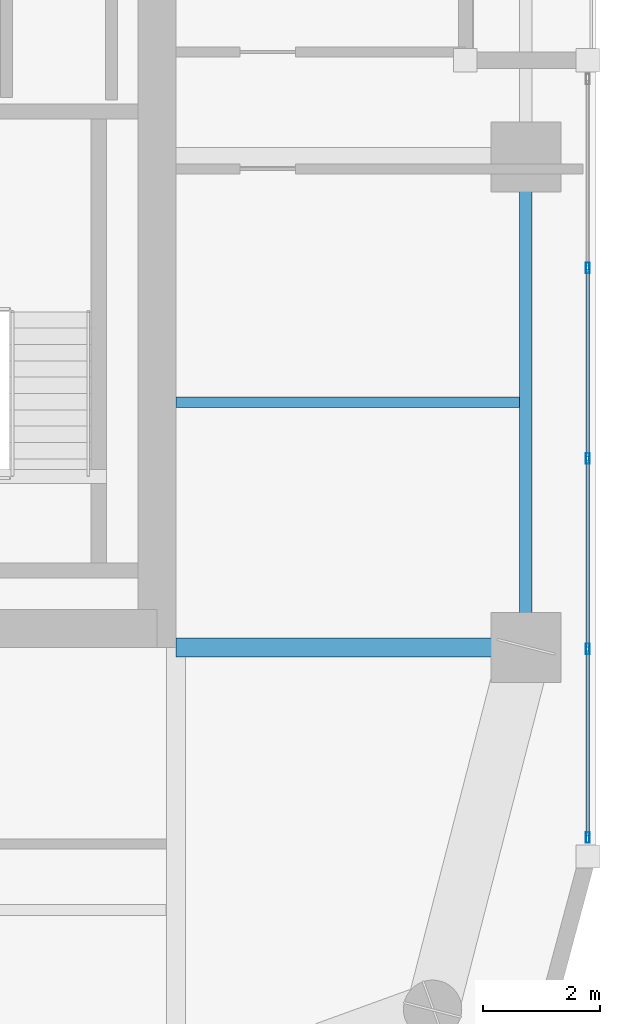
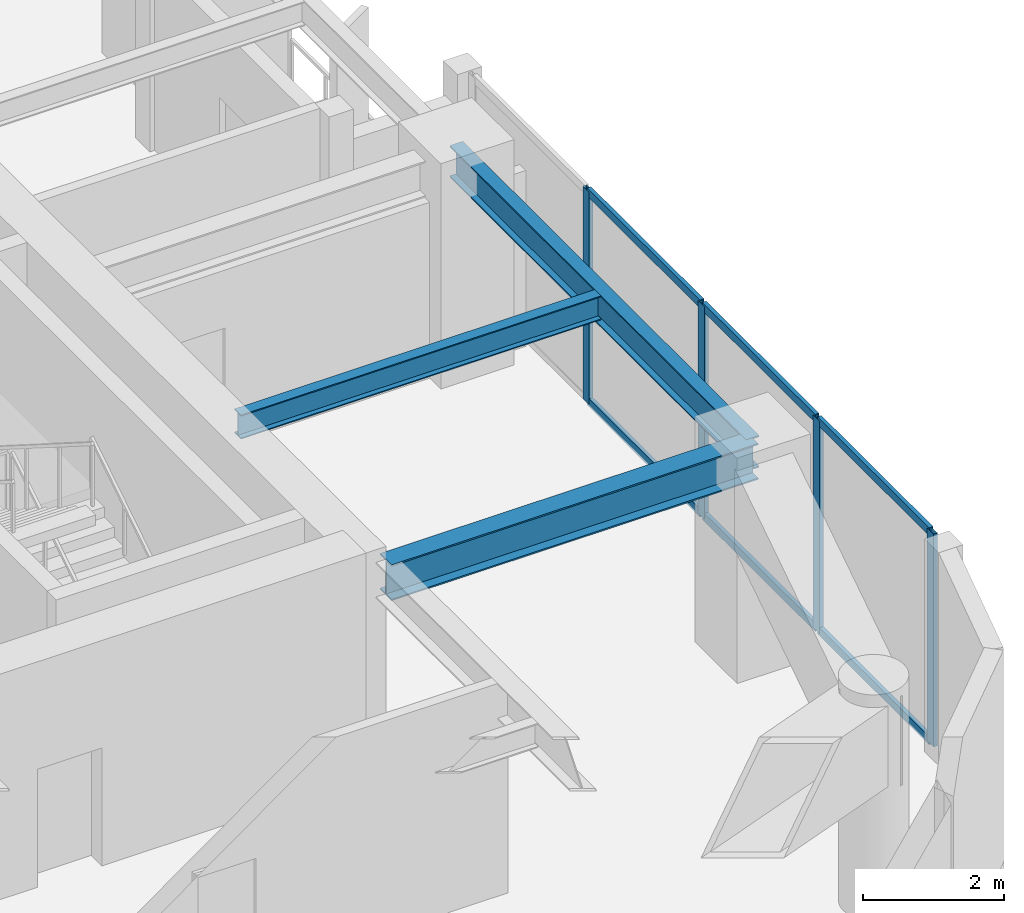
# One storey, part 9 of 30: 10 members, 3 beams, 1 element without a shape of its own.
"""IFC4 building model written with IfcOpenShell, lengths in metres."""

from ifc_helpers import new_model, si_unit, direction, frame, origin, origin_2d, place, context, subcontext, project, spatial, hollow_rectangle, i_section, extrude, material, layer, layer_set, material_profile, profile_set, type_object, element, aggregate, save


model = new_model("IFC4")

# Units and contexts
model_context = context("Model", 3, precision=1e-05, world=origin(), true_north=direction((0.0, 1.0)))
body_context = subcontext(model_context, "Body", "Model", "MODEL_VIEW")
ifc_project = project(units=[si_unit("LENGTHUNIT", "METRE"), si_unit("AREAUNIT", "SQUARE_METRE"), si_unit("VOLUMEUNIT", "CUBIC_METRE"), si_unit("PLANEANGLEUNIT", "RADIAN"), si_unit("MASSUNIT", "GRAM", prefix="KILO")], contexts=[model_context])

# Site, building, storey
site_placement = place(None, origin())
site = spatial("IfcSite", under=ifc_project, at=site_placement, CompositionType="ELEMENT")
building_placement = place(site_placement, origin())
building = spatial("IfcBuilding", under=site, at=building_placement, Name="Kiyonajd Concourse Tower", CompositionType="ELEMENT")
storey_placement = place(building_placement, frame((0.0, 0.0, 194.10009765625)))
storey = spatial("IfcBuildingStorey", under=building, at=storey_placement, Name="L49", CompositionType="ELEMENT", Elevation=194.10009765625)

# Beams
ifc_material_1 = material(Name="Steel ASTM A992 Grade 50", Category="steel")
ifc_material_profile_1 = material_profile(ifc_material_1, i_section(OverallWidth=0.180908203125, OverallDepth=0.4169921875, WebThickness=0.010986328125, FlangeThickness=0.018310546875, at=origin_2d()), Name="W410X85")
ifc_profile_set_1 = profile_set([ifc_material_profile_1], Name="Steel ASTM A992 Grade 50")
beam_type_1 = type_object("IfcBeamType", Name="BM-JST-410", PredefinedType="JOIST", material=ifc_profile_set_1)
beam_1_placement = place(storey_placement, frame((63.60009765625, 31.800048828125, 3.471435546875), z_axis=(1.0, 0.0, 0.0), x_axis=(0.0, 1.0, 0.0)))
element("IfcBeam", 1, at=beam_1_placement, inside=storey, type_object=beam_type_1, Name="L49 East Secondary Floor Joist", PredefinedType="JOIST", context=body_context, shape_type="SweptSolid", body=[
    extrude(i_section(OverallWidth=0.180908203125, OverallDepth=0.4169921875, WebThickness=0.010986328125, FlangeThickness=0.018310546875, at=origin_2d()), origin(), (0.0, 0.0, 1.0), 5.892822265625),
])
ifc_material_profile_2 = material_profile(ifc_material_1, i_section(OverallWidth=0.214111328125, OverallDepth=0.549072265625, WebThickness=0.0146484375, FlangeThickness=0.023681640625, at=origin_2d()), Name="W530X138")
ifc_profile_set_2 = profile_set([ifc_material_profile_2], Name="Steel ASTM A992 Grade 50")
beam_type_2 = type_object("IfcBeamType", Name="BM-SPAN-530A", PredefinedType="SPANDREL", material=ifc_profile_set_2)
beam_2_placement = place(storey_placement, frame((69.60009765625, 27.60009765625, 3.405517578125), z_axis=(0.0, 1.0, 0.0), x_axis=(-1.0, 0.0, 0.0)))
element("IfcBeam", 2, at=beam_2_placement, inside=storey, type_object=beam_type_2, Name="L49 Perimeter Bundled Tube Spandrel", PredefinedType="SPANDREL", context=body_context, shape_type="SweptSolid", body=[
    extrude(i_section(OverallWidth=0.214111328125, OverallDepth=0.549072265625, WebThickness=0.0146484375, FlangeThickness=0.023681640625, at=origin_2d()), origin(), (0.0, 0.0, 1.0), 8.39990234375),
])
ifc_material_profile_3 = material_profile(ifc_material_1, i_section(OverallWidth=0.326904296875, OverallDepth=0.6220703125, WebThickness=0.015380859375, FlangeThickness=0.0244140625, at=origin_2d()), Name="W610X195")
ifc_profile_set_3 = profile_set([ifc_material_profile_3], Name="Steel ASTM A992 Grade 50")
beam_type_3 = type_object("IfcBeamType", Name="BM-TWR-610A", PredefinedType="BEAM", material=ifc_profile_set_3)
beam_3_placement = place(storey_placement, frame((63.60009765625, 27.60009765625, 3.368896484375), z_axis=(1.0, 0.0, 0.0), x_axis=(0.0, 1.0, 0.0)))
element("IfcBeam", 3, at=beam_3_placement, inside=storey, type_object=beam_type_3, Name="L49 East Lease Girder", PredefinedType="BEAM", context=body_context, shape_type="SweptSolid", body=[
    extrude(i_section(OverallWidth=0.326904296875, OverallDepth=0.6220703125, WebThickness=0.015380859375, FlangeThickness=0.0244140625, at=origin_2d()), origin(), (0.0, 0.0, 1.0), 6.0),
])

# Curtain wall, members
ifc_material_2 = material(Name="Thermally Broken Anodised Aluminium", Category="aluminium")
ifc_layer = layer(ifc_material_2, 0.179931640625)
ifc_layer_set = layer_set([ifc_layer], Name="Thermally Broken Anodised Aluminium")
curtain_wall_type = type_object("IfcCurtainWallType", Name="CW-SYS-03", PredefinedType="NOTDEFINED", material=ifc_layer_set)
curtain_wall_placement = place(storey_placement, origin())
curtain_wall = element("IfcCurtainWall", 4, at=curtain_wall_placement, inside=storey, type_object=curtain_wall_type, Name="L49 Unitised Curtain Wall CW3", PredefinedType="NOTDEFINED")
ifc_material_profile_4 = material_profile(ifc_material_2, hollow_rectangle(XDim=0.06494140625, YDim=0.179931640625, WallThickness=0.00390625, at=origin_2d()), Name="MULL-65x180")
ifc_profile_set_4 = profile_set([ifc_material_profile_4], Name="Thermally Broken Anodised Aluminium")
member_type_1 = type_object("IfcMemberType", Name="MB-CW-MULL1", PredefinedType="MULLION", material=ifc_profile_set_4)
member_1_placement = place(storey_placement, frame((70.659912109375, 34.1044921875, 0.0), z_axis=(0.0, 0.0, 1.0), x_axis=(1.0, 0.0, 0.0)))
member_1 = element("IfcMember", 5, at=member_1_placement, type_object=member_type_1, Name="CW3 mullion 2", PredefinedType="MULLION", context=body_context, shape_type="SweptSolid", body=[
    extrude(hollow_rectangle(XDim=0.06494140625, YDim=0.179931640625, WallThickness=0.00390625, at=origin_2d()), origin(), (0.0, 0.0, 1.0), 3.679931640625),
])
member_2_placement = place(storey_placement, frame((70.659912109375, 30.839111328125, 0.0), z_axis=(0.0, 0.0, 1.0), x_axis=(1.0, 0.0, 0.0)))
member_2 = element("IfcMember", 6, at=member_2_placement, type_object=member_type_1, Name="CW3 mullion 3", PredefinedType="MULLION", context=body_context, shape_type="SweptSolid", body=[
    extrude(hollow_rectangle(XDim=0.06494140625, YDim=0.179931640625, WallThickness=0.00390625, at=origin_2d()), origin(), (0.0, 0.0, 1.0), 3.679931640625),
])
member_3_placement = place(storey_placement, frame((70.659912109375, 27.57373046875, 0.0), z_axis=(0.0, 0.0, 1.0), x_axis=(1.0, 0.0, 0.0)))
member_3 = element("IfcMember", 7, at=member_3_placement, type_object=member_type_1, Name="CW3 mullion 4", PredefinedType="MULLION", context=body_context, shape_type="SweptSolid", body=[
    extrude(hollow_rectangle(XDim=0.06494140625, YDim=0.179931640625, WallThickness=0.00390625, at=origin_2d()), origin(), (0.0, 0.0, 1.0), 3.679931640625),
])
member_4_placement = place(storey_placement, frame((70.659912109375, 24.3408203125, 0.0), z_axis=(0.0, 0.0, 1.0), x_axis=(1.0, 0.0, 0.0)))
member_4 = element("IfcMember", 8, at=member_4_placement, type_object=member_type_1, Name="CW3 mullion 5", PredefinedType="MULLION", context=body_context, shape_type="SweptSolid", body=[
    extrude(hollow_rectangle(XDim=0.06494140625, YDim=0.179931640625, WallThickness=0.00390625, at=origin_2d()), origin(), (0.0, 0.0, 1.0), 3.679931640625),
])
ifc_material_profile_5 = material_profile(ifc_material_2, hollow_rectangle(XDim=0.06494140625, YDim=0.139892578125, WallThickness=0.00390625, at=origin_2d()), Name="TRAN-65x140")
ifc_profile_set_5 = profile_set([ifc_material_profile_5], Name="Thermally Broken Anodised Aluminium")
member_type_2 = type_object("IfcMemberType", Name="MB-CW-TRAN1", PredefinedType="USERDEFINED", material=ifc_profile_set_5)
member_5_placement = place(storey_placement, frame((70.659912109375, 34.072021484375, 0.032470703125), z_axis=(0.0, -1.0, 0.0), x_axis=(1.0, 0.0, 0.0)))
member_5 = element("IfcMember", 9, at=member_5_placement, type_object=member_type_2, Name="CW3 transom 2.1", ObjectType="TRANSOM", PredefinedType="USERDEFINED", context=body_context, shape_type="SweptSolid", body=[
    extrude(hollow_rectangle(XDim=0.06494140625, YDim=0.139892578125, WallThickness=0.00390625, at=origin_2d()), origin(), (0.0, 0.0, 1.0), 3.200439453125),
])
member_6_placement = place(storey_placement, frame((70.659912109375, 34.072021484375, 3.6474609375), z_axis=(0.0, -1.0, 0.0), x_axis=(1.0, 0.0, 0.0)))
member_6 = element("IfcMember", 10, at=member_6_placement, type_object=member_type_2, Name="CW3 transom 2.2", ObjectType="TRANSOM", PredefinedType="USERDEFINED", context=body_context, shape_type="SweptSolid", body=[
    extrude(hollow_rectangle(XDim=0.06494140625, YDim=0.139892578125, WallThickness=0.00390625, at=origin_2d()), origin(), (0.0, 0.0, 1.0), 3.200439453125),
])
member_7_placement = place(storey_placement, frame((70.659912109375, 30.806640625, 0.032470703125), z_axis=(0.0, -1.0, 0.0), x_axis=(1.0, 0.0, 0.0)))
member_7 = element("IfcMember", 11, at=member_7_placement, type_object=member_type_2, Name="CW3 transom 3.1", ObjectType="TRANSOM", PredefinedType="USERDEFINED", context=body_context, shape_type="SweptSolid", body=[
    extrude(hollow_rectangle(XDim=0.06494140625, YDim=0.139892578125, WallThickness=0.00390625, at=origin_2d()), origin(), (0.0, 0.0, 1.0), 3.200439453125),
])
member_8_placement = place(storey_placement, frame((70.659912109375, 30.806640625, 3.6474609375), z_axis=(0.0, -1.0, 0.0), x_axis=(1.0, 0.0, 0.0)))
member_8 = element("IfcMember", 12, at=member_8_placement, type_object=member_type_2, Name="CW3 transom 3.2", ObjectType="TRANSOM", PredefinedType="USERDEFINED", context=body_context, shape_type="SweptSolid", body=[
    extrude(hollow_rectangle(XDim=0.06494140625, YDim=0.139892578125, WallThickness=0.00390625, at=origin_2d()), origin(), (0.0, 0.0, 1.0), 3.200439453125),
])
member_9_placement = place(storey_placement, frame((70.659912109375, 27.541259765625, 0.032470703125), z_axis=(0.0, -1.0, 0.0), x_axis=(1.0, 0.0, 0.0)))
member_9 = element("IfcMember", 13, at=member_9_placement, type_object=member_type_2, Name="CW3 transom 4.1", ObjectType="TRANSOM", PredefinedType="USERDEFINED", context=body_context, shape_type="SweptSolid", body=[
    extrude(hollow_rectangle(XDim=0.06494140625, YDim=0.139892578125, WallThickness=0.00390625, at=origin_2d()), origin(), (0.0, 0.0, 1.0), 3.16796875),
])
member_10_placement = place(storey_placement, frame((70.659912109375, 27.541259765625, 3.6474609375), z_axis=(0.0, -1.0, 0.0), x_axis=(1.0, 0.0, 0.0)))
member_10 = element("IfcMember", 14, at=member_10_placement, type_object=member_type_2, Name="CW3 transom 4.2", ObjectType="TRANSOM", PredefinedType="USERDEFINED", context=body_context, shape_type="SweptSolid", body=[
    extrude(hollow_rectangle(XDim=0.06494140625, YDim=0.139892578125, WallThickness=0.00390625, at=origin_2d()), origin(), (0.0, 0.0, 1.0), 3.16796875),
])
aggregate(curtain_wall, [member_1, member_2, member_3, member_4, member_5, member_6, member_7, member_8, member_9, member_10])

save(model, "model.ifc")
